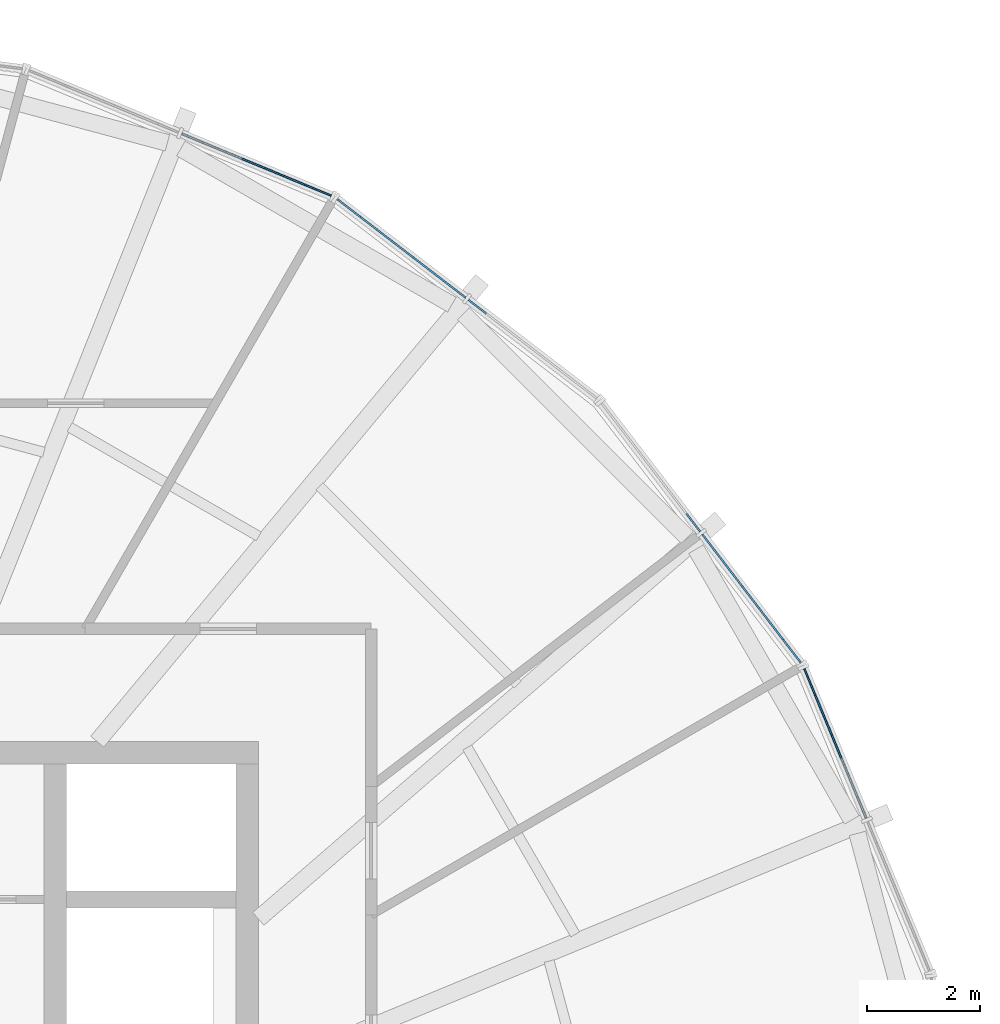
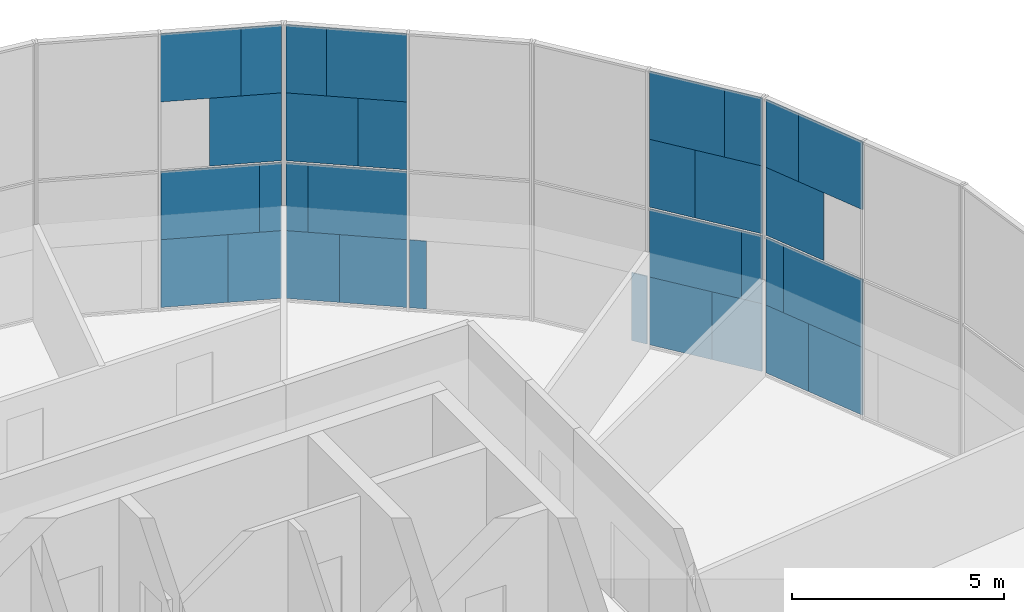
# One storey, part 15 of 19: 32 plates, 4 elements without a shape of their own.
"""IFC4 building model written with IfcOpenShell, lengths in metres."""

from ifc_helpers import new_model, si_unit, direction, frame, origin, origin_2d, place, context, subcontext, project, spatial, rectangle, extrude, material, layer, layer_set, type_object, element, aggregate, save


model = new_model("IFC4")

# Units and contexts
model_context = context("Model", 3, precision=1e-05, world=origin(), true_north=direction((0.0, 1.0)))
body_context = subcontext(model_context, "Body", "Model", "MODEL_VIEW")
ifc_project = project(units=[si_unit("LENGTHUNIT", "METRE"), si_unit("AREAUNIT", "SQUARE_METRE"), si_unit("VOLUMEUNIT", "CUBIC_METRE"), si_unit("PLANEANGLEUNIT", "RADIAN"), si_unit("MASSUNIT", "GRAM", prefix="KILO")], contexts=[model_context])

# Site, building, storey
site_placement = place(None, origin())
site = spatial("IfcSite", under=ifc_project, at=site_placement, CompositionType="ELEMENT")
building_placement = place(site_placement, origin())
building = spatial("IfcBuilding", under=site, at=building_placement, Name="Golbaran Civic Tower", CompositionType="ELEMENT")
storey_placement = place(building_placement, frame((0.0, 0.0, 240.0)))
storey = spatial("IfcBuildingStorey", under=building, at=storey_placement, Name="L58", CompositionType="ELEMENT", Elevation=240.0)

# Curtain wall, plates
ifc_material_1 = material(Name="Aluminium and glass", Category="aluminium")
curtain_wall_type = type_object("IfcCurtainWallType", Name="INNER SKIN CURTAIN WALL EXECUTIVE", PredefinedType="NOTDEFINED", material=ifc_material_1)
curtain_wall_1_placement = place(storey_placement, origin())
curtain_wall_1 = element("IfcCurtainWall", 1, at=curtain_wall_1_placement, inside=storey, type_object=curtain_wall_type, Name="Inner skin L58 facet 2 CW2", ObjectType="INNER SKIN", PredefinedType="USERDEFINED")
ifc_material_2 = material(Name="Clear insulating glass", Category="glass")
ifc_layer_1 = layer(ifc_material_2, 0.031982421875, Name="Clear insulating glass")
ifc_layer_set_1 = layer_set([ifc_layer_1], Name="Clear insulating glass")
plate_type_1 = type_object("IfcPlateType", Name="INNER SKIN CURTAIN WALL EXECUTIVE GLAZED PANEL", PredefinedType="CURTAIN_PANEL", material=ifc_layer_set_1)
plate_1_placement = place(storey_placement, frame((19.9248046875, 10.7080078125, 0.06005859375), z_axis=(0.0, 0.0, 1.0), x_axis=(-0.382683432397, 0.923879532498, 0.0)))
plate_1 = element("IfcPlate", 2, at=plate_1_placement, type_object=plate_type_1, Name="CW2 panel 2.1 part 2", PredefinedType="CURTAIN_PANEL", context=body_context, shape_type="SweptSolid", body=[
    extrude(rectangle(XDim=1.27001953125, YDim=0.031982421875, at=origin_2d()), origin(), (0.0, 0.0, 1.0), 1.955078125),
])
plate_2_placement = place(storey_placement, frame((19.780517578125, 11.05615234375, 2.014892578125), z_axis=(0.0, 0.0, 1.0), x_axis=(-0.382683432397, 0.923879532498, 0.0)))
plate_2 = element("IfcPlate", 3, at=plate_2_placement, type_object=plate_type_1, Name="CW2 panel 2.1 part 4", PredefinedType="CURTAIN_PANEL", context=body_context, shape_type="SweptSolid", body=[
    extrude(rectangle(XDim=0.515869140625, YDim=0.031982421875, at=origin_2d()), origin(), (0.0, 0.0, 1.0), 1.955078125),
])
plate_3_placement = place(storey_placement, frame((20.4150390625, 9.5244140625, 5.98486328125), z_axis=(0.0, 0.0, 1.0), x_axis=(-0.382683432397, 0.923879532498, 0.0)))
plate_3 = element("IfcPlate", 4, at=plate_3_placement, type_object=plate_type_1, Name="CW2 panel 2.2 part 3", PredefinedType="CURTAIN_PANEL", context=body_context, shape_type="SweptSolid", body=[
    extrude(rectangle(XDim=1.9140625, YDim=0.031982421875, at=origin_2d()), origin(), (0.0, 0.0, 1.0), 1.955078125),
])

curtain_wall_2_placement = place(storey_placement, origin())
curtain_wall_2 = element("IfcCurtainWall", 5, at=curtain_wall_2_placement, inside=storey, type_object=curtain_wall_type, Name="Inner skin L58 facet 3 CW2", ObjectType="INNER SKIN", PredefinedType="USERDEFINED")
plate_4_placement = place(storey_placement, frame((19.235595703125, 11.9013671875, 0.06005859375), z_axis=(0.0, 0.0, 1.0), x_axis=(-0.608761429009, 0.793353340291, 0.0)))
plate_4 = element("IfcPlate", 6, at=plate_4_placement, type_object=plate_type_1, Name="CW2 panel 1.1 part 1", PredefinedType="CURTAIN_PANEL", context=body_context, shape_type="SweptSolid", body=[
    extrude(rectangle(XDim=1.27001953125, YDim=0.031982421875, at=origin_2d()), origin(), (0.0, 0.0, 1.0), 1.955078125),
])
plate_5_placement = place(storey_placement, frame((19.465087890625, 11.602294921875, 2.014892578125), z_axis=(0.0, 0.0, 1.0), x_axis=(-0.608761429009, 0.793353340291, 0.0)))
plate_5 = element("IfcPlate", 7, at=plate_5_placement, type_object=plate_type_1, Name="CW2 panel 1.1 part 3", PredefinedType="CURTAIN_PANEL", context=body_context, shape_type="SweptSolid", body=[
    extrude(rectangle(XDim=0.51611328125, YDim=0.031982421875, at=origin_2d()), origin(), (0.0, 0.0, 1.0), 1.955078125),
])
plate_6_placement = place(storey_placement, frame((18.226318359375, 13.216796875, 4.030029296875), z_axis=(0.0, 0.0, 1.0), x_axis=(-0.608761429009, 0.793353340291, 0.0)))
plate_6 = element("IfcPlate", 8, at=plate_6_placement, type_object=plate_type_1, Name="CW2 panel 1.2 part 2", PredefinedType="CURTAIN_PANEL", context=body_context, shape_type="SweptSolid", body=[
    extrude(rectangle(XDim=1.159912109375, YDim=0.031982421875, at=origin_2d()), origin(), (0.0, 0.0, 1.0), 1.955078125),
])
plate_7_placement = place(storey_placement, frame((18.455810546875, 12.917724609375, 5.98486328125), z_axis=(0.0, 0.0, 1.0), x_axis=(-0.608761429009, 0.793353340291, 0.0)))
plate_7 = element("IfcPlate", 9, at=plate_7_placement, type_object=plate_type_1, Name="CW2 panel 1.2 part 4", PredefinedType="CURTAIN_PANEL", context=body_context, shape_type="SweptSolid", body=[
    extrude(rectangle(XDim=1.9140625, YDim=0.031982421875, at=origin_2d()), origin(), (0.0, 0.0, 1.0), 1.955078125),
])

curtain_wall_3_placement = place(storey_placement, origin())
curtain_wall_3 = element("IfcCurtainWall", 10, at=curtain_wall_3_placement, inside=storey, type_object=curtain_wall_type, Name="Inner skin L58 facet 4 CW2", ObjectType="INNER SKIN", PredefinedType="USERDEFINED")
plate_8_placement = place(storey_placement, frame((11.9013671875, 19.235595703125, 0.06005859375), z_axis=(0.0, 0.0, 1.0), x_axis=(-0.793353340291, 0.608761429009, 0.0)))
plate_8 = element("IfcPlate", 11, at=plate_8_placement, type_object=plate_type_1, Name="CW2 panel 2.1 part 2", PredefinedType="CURTAIN_PANEL", context=body_context, shape_type="SweptSolid", body=[
    extrude(rectangle(XDim=1.27001953125, YDim=0.031982421875, at=origin_2d()), origin(), (0.0, 0.0, 1.0), 1.955078125),
])
plate_9_placement = place(storey_placement, frame((11.602294921875, 19.465087890625, 2.014892578125), z_axis=(0.0, 0.0, 1.0), x_axis=(-0.793353340291, 0.608761429009, 0.0)))
plate_9 = element("IfcPlate", 12, at=plate_9_placement, type_object=plate_type_1, Name="CW2 panel 2.1 part 4", PredefinedType="CURTAIN_PANEL", context=body_context, shape_type="SweptSolid", body=[
    extrude(rectangle(XDim=0.515869140625, YDim=0.031982421875, at=origin_2d()), origin(), (0.0, 0.0, 1.0), 1.955078125),
])
plate_10_placement = place(storey_placement, frame((13.216796875, 18.226318359375, 4.030029296875), z_axis=(0.0, 0.0, 1.0), x_axis=(-0.793353340291, 0.608761429009, 0.0)))
plate_10 = element("IfcPlate", 13, at=plate_10_placement, type_object=plate_type_1, Name="CW2 panel 2.2 part 1", PredefinedType="CURTAIN_PANEL", context=body_context, shape_type="SweptSolid", body=[
    extrude(rectangle(XDim=1.159912109375, YDim=0.031982421875, at=origin_2d()), origin(), (0.0, 0.0, 1.0), 1.955078125),
])
plate_11_placement = place(storey_placement, frame((12.917724609375, 18.455810546875, 5.98486328125), z_axis=(0.0, 0.0, 1.0), x_axis=(-0.793353340291, 0.608761429009, 0.0)))
plate_11 = element("IfcPlate", 14, at=plate_11_placement, type_object=plate_type_1, Name="CW2 panel 2.2 part 3", PredefinedType="CURTAIN_PANEL", context=body_context, shape_type="SweptSolid", body=[
    extrude(rectangle(XDim=1.9140625, YDim=0.031982421875, at=origin_2d()), origin(), (0.0, 0.0, 1.0), 1.955078125),
])

curtain_wall_4_placement = place(storey_placement, origin())
curtain_wall_4 = element("IfcCurtainWall", 15, at=curtain_wall_4_placement, inside=storey, type_object=curtain_wall_type, Name="Inner skin L58 facet 5 CW2", ObjectType="INNER SKIN", PredefinedType="USERDEFINED")
plate_12_placement = place(storey_placement, frame((10.7080078125, 19.9248046875, 0.06005859375), z_axis=(0.0, 0.0, 1.0), x_axis=(-0.923879532498, 0.382683432397, 0.0)))
plate_12 = element("IfcPlate", 16, at=plate_12_placement, type_object=plate_type_1, Name="CW2 panel 1.1 part 1", PredefinedType="CURTAIN_PANEL", context=body_context, shape_type="SweptSolid", body=[
    extrude(rectangle(XDim=1.27001953125, YDim=0.031982421875, at=origin_2d()), origin(), (0.0, 0.0, 1.0), 1.955078125),
])
plate_13_placement = place(storey_placement, frame((11.05615234375, 19.780517578125, 2.014892578125), z_axis=(0.0, 0.0, 1.0), x_axis=(-0.923879532498, 0.382683432397, 0.0)))
plate_13 = element("IfcPlate", 17, at=plate_13_placement, type_object=plate_type_1, Name="CW2 panel 1.1 part 3", PredefinedType="CURTAIN_PANEL", context=body_context, shape_type="SweptSolid", body=[
    extrude(rectangle(XDim=0.51611328125, YDim=0.031982421875, at=origin_2d()), origin(), (0.0, 0.0, 1.0), 1.955078125),
])
plate_14_placement = place(storey_placement, frame((9.5244140625, 20.4150390625, 5.98486328125), z_axis=(0.0, 0.0, 1.0), x_axis=(-0.923879532498, 0.382683432397, 0.0)))
plate_14 = element("IfcPlate", 18, at=plate_14_placement, type_object=plate_type_1, Name="CW2 panel 1.2 part 4", PredefinedType="CURTAIN_PANEL", context=body_context, shape_type="SweptSolid", body=[
    extrude(rectangle(XDim=1.9140625, YDim=0.031982421875, at=origin_2d()), origin(), (0.0, 0.0, 1.0), 1.955078125),
])

# Plate
ifc_material_3 = material(Name="Aluminium faced opaque infill panel", Category="aluminium")
ifc_layer_2 = layer(ifc_material_3, 0.031982421875, Name="Aluminium faced opaque infill panel")
ifc_layer_set_2 = layer_set([ifc_layer_2], Name="Aluminium faced opaque infill panel")
plate_type_2 = type_object("IfcPlateType", Name="INNER SKIN CURTAIN WALL EXECUTIVE OPAQUE INFILL PANEL", PredefinedType="CURTAIN_PANEL", material=ifc_layer_set_2)
plate_15_placement = place(storey_placement, frame((20.474365234375, 9.380859375, 0.06005859375), z_axis=(0.0, 0.0, 1.0), x_axis=(-0.382683432397, 0.923879532498, 0.0)))
plate_15 = element("IfcPlate", 19, at=plate_15_placement, type_object=plate_type_2, Name="CW2 infill panel 2.1 part 1", PredefinedType="CURTAIN_PANEL", context=body_context, shape_type="SweptSolid", body=[
    extrude(rectangle(XDim=1.60302734375, YDim=0.031982421875, at=origin_2d()), origin(), (0.0, 0.0, 1.0), 1.955078125),
])

plate_16_placement = place(storey_placement, frame((20.330078125, 9.72900390625, 2.014892578125), z_axis=(0.0, 0.0, 1.0), x_axis=(-0.382683432397, 0.923879532498, 0.0)))
plate_16 = element("IfcPlate", 20, at=plate_16_placement, type_object=plate_type_2, Name="CW2 infill panel 2.1 part 3", PredefinedType="CURTAIN_PANEL", context=body_context, shape_type="SweptSolid", body=[
    extrude(rectangle(XDim=2.35693359375, YDim=0.031982421875, at=origin_2d()), origin(), (0.0, 0.0, 1.0), 1.955078125),
])

plate_17_placement = place(storey_placement, frame((20.009521484375, 10.503173828125, 4.030029296875), z_axis=(0.0, 0.0, 1.0), x_axis=(-0.382683432397, 0.923879532498, 0.0)))
plate_17 = element("IfcPlate", 21, at=plate_17_placement, type_object=plate_type_2, Name="CW2 infill panel 2.2 part 2", PredefinedType="CURTAIN_PANEL", context=body_context, shape_type="SweptSolid", body=[
    extrude(rectangle(XDim=1.712890625, YDim=0.031982421875, at=origin_2d()), origin(), (0.0, 0.0, 1.0), 1.955078125),
])

plate_18_placement = place(storey_placement, frame((19.865234375, 10.8515625, 5.98486328125), z_axis=(0.0, 0.0, 1.0), x_axis=(-0.382683432397, 0.923879532498, 0.0)))
plate_18 = element("IfcPlate", 22, at=plate_18_placement, type_object=plate_type_2, Name="CW2 infill panel 2.2 part 4", PredefinedType="CURTAIN_PANEL", context=body_context, shape_type="SweptSolid", body=[
    extrude(rectangle(XDim=0.958984375, YDim=0.031982421875, at=origin_2d()), origin(), (0.0, 0.0, 1.0), 1.955078125),
])

aggregate(curtain_wall_1, [plate_15, plate_1, plate_16, plate_2, plate_17, plate_3, plate_18])

plate_19_placement = place(storey_placement, frame((18.361328125, 13.041015625, 0.06005859375), z_axis=(0.0, 0.0, 1.0), x_axis=(-0.608761429009, 0.793353340291, 0.0)))
plate_19 = element("IfcPlate", 23, at=plate_19_placement, type_object=plate_type_2, Name="CW2 infill panel 1.1 part 2", PredefinedType="CURTAIN_PANEL", context=body_context, shape_type="SweptSolid", body=[
    extrude(rectangle(XDim=1.60302734375, YDim=0.031982421875, at=origin_2d()), origin(), (0.0, 0.0, 1.0), 1.955078125),
])

plate_20_placement = place(storey_placement, frame((18.5908203125, 12.741943359375, 2.014892578125), z_axis=(0.0, 0.0, 1.0), x_axis=(-0.608761429009, 0.793353340291, 0.0)))
plate_20 = element("IfcPlate", 24, at=plate_20_placement, type_object=plate_type_2, Name="CW2 infill panel 1.1 part 4", PredefinedType="CURTAIN_PANEL", context=body_context, shape_type="SweptSolid", body=[
    extrude(rectangle(XDim=2.35693359375, YDim=0.031982421875, at=origin_2d()), origin(), (0.0, 0.0, 1.0), 1.955078125),
])

plate_21_placement = place(storey_placement, frame((19.100830078125, 12.0771484375, 4.030029296875), z_axis=(0.0, 0.0, 1.0), x_axis=(-0.608761429009, 0.793353340291, 0.0)))
plate_21 = element("IfcPlate", 25, at=plate_21_placement, type_object=plate_type_2, Name="CW2 infill panel 1.2 part 1", PredefinedType="CURTAIN_PANEL", context=body_context, shape_type="SweptSolid", body=[
    extrude(rectangle(XDim=1.712890625, YDim=0.031982421875, at=origin_2d()), origin(), (0.0, 0.0, 1.0), 1.955078125),
])

plate_22_placement = place(storey_placement, frame((19.330322265625, 11.778076171875, 5.98486328125), z_axis=(0.0, 0.0, 1.0), x_axis=(-0.608761429009, 0.793353340291, 0.0)))
plate_22 = element("IfcPlate", 26, at=plate_22_placement, type_object=plate_type_2, Name="CW2 infill panel 1.2 part 3", PredefinedType="CURTAIN_PANEL", context=body_context, shape_type="SweptSolid", body=[
    extrude(rectangle(XDim=0.958984375, YDim=0.031982421875, at=origin_2d()), origin(), (0.0, 0.0, 1.0), 1.955078125),
])

plate_23_placement = place(storey_placement, frame((17.71484375, 13.883544921875, 0.06005859375), z_axis=(0.0, 0.0, 1.0), x_axis=(-0.608761429009, 0.793353340291, 0.0)))
plate_23 = element("IfcPlate", 27, at=plate_23_placement, type_object=plate_type_2, Name="CW2 infill panel 2.1 part 1", PredefinedType="CURTAIN_PANEL", context=body_context, shape_type="SweptSolid", body=[
    extrude(rectangle(XDim=0.40087890625, YDim=0.031982421875, at=origin_2d()), origin(), (0.0, 0.0, 1.0), 1.955078125),
])

aggregate(curtain_wall_2, [plate_4, plate_19, plate_5, plate_20, plate_21, plate_6, plate_22, plate_7, plate_23])

plate_24_placement = place(storey_placement, frame((13.8837890625, 17.71435546875, 0.06005859375), z_axis=(0.0, 0.0, 1.0), x_axis=(-0.793353340291, 0.608761429009, 0.0)))
plate_24 = element("IfcPlate", 28, at=plate_24_placement, type_object=plate_type_2, Name="CW2 infill panel 1.1 part 2", PredefinedType="CURTAIN_PANEL", context=body_context, shape_type="SweptSolid", body=[
    extrude(rectangle(XDim=0.40185546875, YDim=0.031982421875, at=origin_2d()), origin(), (0.0, 0.0, 1.0), 1.955078125),
])

plate_25_placement = place(storey_placement, frame((13.041015625, 18.361328125, 0.06005859375), z_axis=(0.0, 0.0, 1.0), x_axis=(-0.793353340291, 0.608761429009, 0.0)))
plate_25 = element("IfcPlate", 29, at=plate_25_placement, type_object=plate_type_2, Name="CW2 infill panel 2.1 part 1", PredefinedType="CURTAIN_PANEL", context=body_context, shape_type="SweptSolid", body=[
    extrude(rectangle(XDim=1.60302734375, YDim=0.031982421875, at=origin_2d()), origin(), (0.0, 0.0, 1.0), 1.955078125),
])

plate_26_placement = place(storey_placement, frame((12.741943359375, 18.5908203125, 2.014892578125), z_axis=(0.0, 0.0, 1.0), x_axis=(-0.793353340291, 0.608761429009, 0.0)))
plate_26 = element("IfcPlate", 30, at=plate_26_placement, type_object=plate_type_2, Name="CW2 infill panel 2.1 part 3", PredefinedType="CURTAIN_PANEL", context=body_context, shape_type="SweptSolid", body=[
    extrude(rectangle(XDim=2.35693359375, YDim=0.031982421875, at=origin_2d()), origin(), (0.0, 0.0, 1.0), 1.955078125),
])

plate_27_placement = place(storey_placement, frame((12.0771484375, 19.100830078125, 4.030029296875), z_axis=(0.0, 0.0, 1.0), x_axis=(-0.793353340291, 0.608761429009, 0.0)))
plate_27 = element("IfcPlate", 31, at=plate_27_placement, type_object=plate_type_2, Name="CW2 infill panel 2.2 part 2", PredefinedType="CURTAIN_PANEL", context=body_context, shape_type="SweptSolid", body=[
    extrude(rectangle(XDim=1.712890625, YDim=0.031982421875, at=origin_2d()), origin(), (0.0, 0.0, 1.0), 1.955078125),
])

plate_28_placement = place(storey_placement, frame((11.778076171875, 19.330322265625, 5.98486328125), z_axis=(0.0, 0.0, 1.0), x_axis=(-0.793353340291, 0.608761429009, 0.0)))
plate_28 = element("IfcPlate", 32, at=plate_28_placement, type_object=plate_type_2, Name="CW2 infill panel 2.2 part 4", PredefinedType="CURTAIN_PANEL", context=body_context, shape_type="SweptSolid", body=[
    extrude(rectangle(XDim=0.958984375, YDim=0.031982421875, at=origin_2d()), origin(), (0.0, 0.0, 1.0), 1.955078125),
])

aggregate(curtain_wall_3, [plate_24, plate_25, plate_8, plate_26, plate_9, plate_10, plate_27, plate_11, plate_28])

plate_29_placement = place(storey_placement, frame((9.380859375, 20.474365234375, 0.06005859375), z_axis=(0.0, 0.0, 1.0), x_axis=(-0.923879532498, 0.382683432397, 0.0)))
plate_29 = element("IfcPlate", 33, at=plate_29_placement, type_object=plate_type_2, Name="CW2 infill panel 1.1 part 2", PredefinedType="CURTAIN_PANEL", context=body_context, shape_type="SweptSolid", body=[
    extrude(rectangle(XDim=1.60302734375, YDim=0.031982421875, at=origin_2d()), origin(), (0.0, 0.0, 1.0), 1.955078125),
])

plate_30_placement = place(storey_placement, frame((9.72900390625, 20.330078125, 2.014892578125), z_axis=(0.0, 0.0, 1.0), x_axis=(-0.923879532498, 0.382683432397, 0.0)))
plate_30 = element("IfcPlate", 34, at=plate_30_placement, type_object=plate_type_2, Name="CW2 infill panel 1.1 part 4", PredefinedType="CURTAIN_PANEL", context=body_context, shape_type="SweptSolid", body=[
    extrude(rectangle(XDim=2.35693359375, YDim=0.031982421875, at=origin_2d()), origin(), (0.0, 0.0, 1.0), 1.955078125),
])

plate_31_placement = place(storey_placement, frame((10.503173828125, 20.009521484375, 4.030029296875), z_axis=(0.0, 0.0, 1.0), x_axis=(-0.923879532498, 0.382683432397, 0.0)))
plate_31 = element("IfcPlate", 35, at=plate_31_placement, type_object=plate_type_2, Name="CW2 infill panel 1.2 part 1", PredefinedType="CURTAIN_PANEL", context=body_context, shape_type="SweptSolid", body=[
    extrude(rectangle(XDim=1.712890625, YDim=0.031982421875, at=origin_2d()), origin(), (0.0, 0.0, 1.0), 1.955078125),
])

plate_32_placement = place(storey_placement, frame((10.8515625, 19.865234375, 5.98486328125), z_axis=(0.0, 0.0, 1.0), x_axis=(-0.923879532498, 0.382683432397, 0.0)))
plate_32 = element("IfcPlate", 36, at=plate_32_placement, type_object=plate_type_2, Name="CW2 infill panel 1.2 part 3", PredefinedType="CURTAIN_PANEL", context=body_context, shape_type="SweptSolid", body=[
    extrude(rectangle(XDim=0.958984375, YDim=0.031982421875, at=origin_2d()), origin(), (0.0, 0.0, 1.0), 1.955078125),
])

aggregate(curtain_wall_4, [plate_12, plate_29, plate_13, plate_30, plate_31, plate_32, plate_14])

save(model, "model.ifc")
